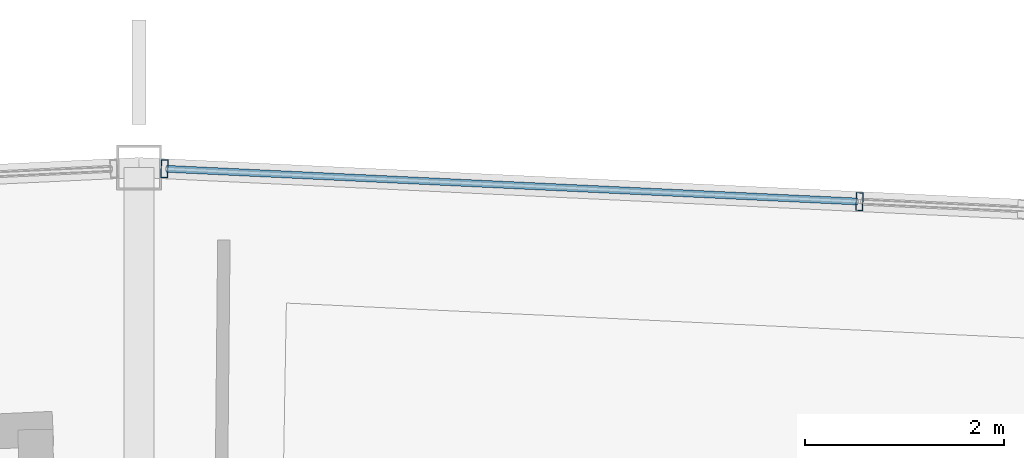
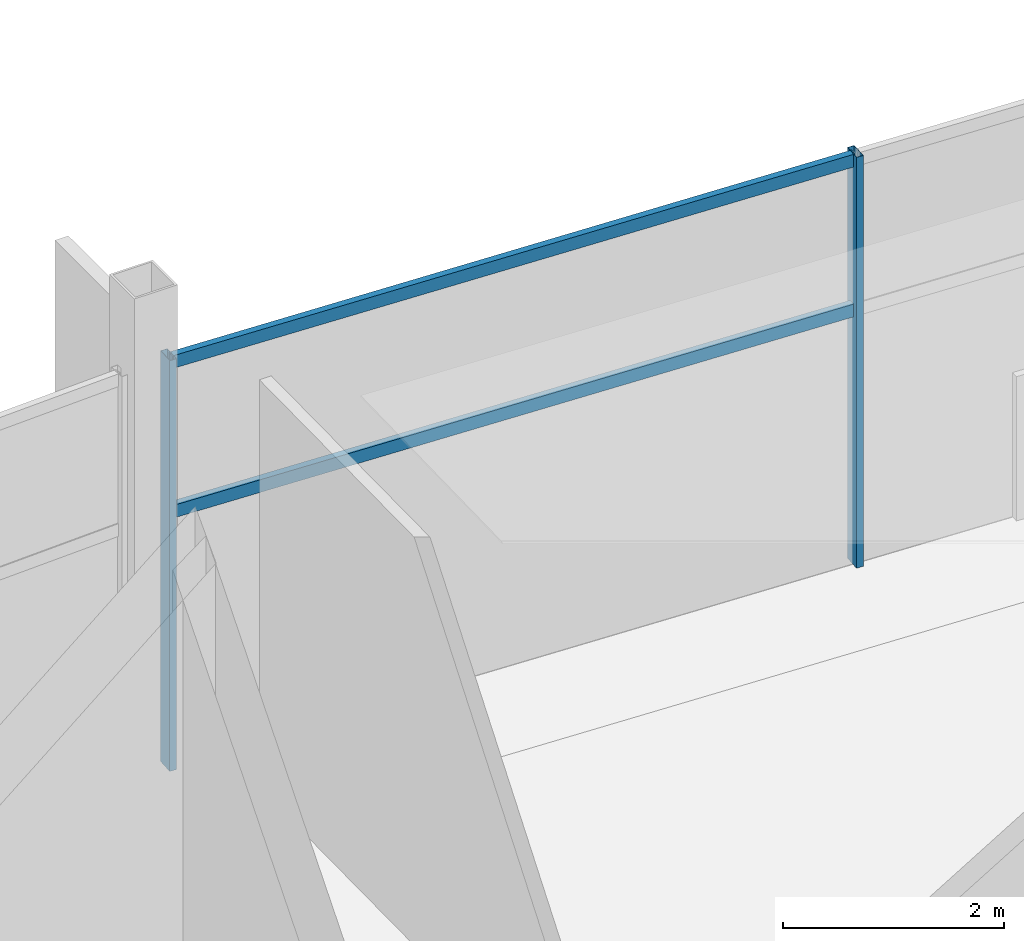
# One storey, part 102 of 186: 4 members, 1 element without a shape of its own.
"""IFC4 building model written with IfcOpenShell, lengths in metres."""

from ifc_helpers import new_model, si_unit, direction, frame, origin, origin_2d, place, context, subcontext, project, spatial, hollow_rectangle, extrude, material, layer, layer_set, material_profile, profile_set, type_object, element, aggregate, save


model = new_model("IFC4")

# Units and contexts
model_context = context("Model", 3, precision=1e-05, world=origin(), true_north=direction((0.0, 1.0)))
body_context = subcontext(model_context, "Body", "Model", "MODEL_VIEW")
ifc_project = project(units=[si_unit("LENGTHUNIT", "METRE"), si_unit("AREAUNIT", "SQUARE_METRE"), si_unit("VOLUMEUNIT", "CUBIC_METRE"), si_unit("PLANEANGLEUNIT", "RADIAN"), si_unit("MASSUNIT", "GRAM", prefix="KILO")], contexts=[model_context])

# Site, building, storey
site_placement = place(None, origin())
site = spatial("IfcSite", under=ifc_project, at=site_placement, CompositionType="ELEMENT")
building_placement = place(site_placement, origin())
building = spatial("IfcBuilding", under=site, at=building_placement, Name="Kazemori Nagisa Stadium", CompositionType="ELEMENT")
storey_placement = place(building_placement, frame((0.0, 0.0, 20.39990234375)))
storey = spatial("IfcBuildingStorey", under=building, at=storey_placement, Name="L04", CompositionType="ELEMENT", Elevation=20.39990234375)

# Curtain wall, members
ifc_material_1 = material(Name="Anodised aluminium 6063-T5", Category="aluminium")
ifc_layer = layer(ifc_material_1, 0.179931640625, Name="Anodised aluminium 6063-T5", Category="aluminium")
ifc_layer_set = layer_set([ifc_layer], Name="Anodised aluminium 6063-T5")
curtain_wall_type = type_object("IfcCurtainWallType", Name="CW_L04R3_105", PredefinedType="USERDEFINED", material=ifc_layer_set)
curtain_wall_placement = place(storey_placement, origin())
curtain_wall = element("IfcCurtainWall", 1, at=curtain_wall_placement, inside=storey, type_object=curtain_wall_type, Name="Unitised curtain wall CW-L04R3-105 L04", ObjectType="UNITISED CURTAIN WALL", PredefinedType="USERDEFINED")
ifc_material_2 = material(Name="Aluminium 6063-T5 anodised", Category="aluminium")
ifc_material_profile_1 = material_profile(ifc_material_2, hollow_rectangle(XDim=0.070068359375, YDim=0.179931640625, WallThickness=0.00390625, at=origin_2d()), Name="ALU-MULL-70x180x4")
ifc_profile_set_1 = profile_set([ifc_material_profile_1], Name="Aluminium 6063-T5 anodised")
member_type_1 = type_object("IfcMemberType", Name="Mullion_M01", PredefinedType="MULLION", material=ifc_profile_set_1)
member_1_placement = place(storey_placement, frame((130.2275390625, 187.658203125, 0.0), z_axis=(0.0, 0.0, 1.0), x_axis=(-0.998884022476, 0.047230388971, 0.0)))
member_1 = element("IfcMember", 2, at=member_1_placement, type_object=member_type_1, Name="Curtain wall mullion CW-L04R3-105-M3", PredefinedType="MULLION", context=body_context, shape_type="SweptSolid", body=[
    extrude(hollow_rectangle(XDim=0.070068359375, YDim=0.179931640625, WallThickness=0.00390625, at=origin_2d()), origin(), (0.0, 0.0, 1.0), 4.530029296875),
])
member_2_placement = place(storey_placement, frame((123.254638671875, 187.988037109375, 0.0), z_axis=(0.0, 0.0, 1.0), x_axis=(-0.998884022476, 0.047230388971, 0.0)))
member_2 = element("IfcMember", 3, at=member_2_placement, type_object=member_type_1, Name="Curtain wall mullion CW-L04R3-105-M4", PredefinedType="MULLION", context=body_context, shape_type="SweptSolid", body=[
    extrude(hollow_rectangle(XDim=0.070068359375, YDim=0.179931640625, WallThickness=0.00390625, at=origin_2d()), origin(), (0.0, 0.0, 1.0), 4.530029296875),
])
ifc_material_profile_2 = material_profile(ifc_material_2, hollow_rectangle(XDim=0.070068359375, YDim=0.139892578125, WallThickness=0.00390625, at=origin_2d()), Name="ALU-TRAN-70x140x4")
ifc_profile_set_2 = profile_set([ifc_material_profile_2], Name="Aluminium 6063-T5 anodised")
member_type_2 = type_object("IfcMemberType", Name="Transom_T01", PredefinedType="USERDEFINED", material=ifc_profile_set_2)
member_3_placement = place(storey_placement, frame((130.20751953125, 187.6591796875, 2.80859375), z_axis=(-0.998883524201, 0.047240925908, 0.0), x_axis=(-0.047240925908, -0.998883524201, 0.0)))
member_3 = element("IfcMember", 4, at=member_3_placement, type_object=member_type_2, Name="Curtain wall transom CW-L04R3-105-T3-mid", ObjectType="TRANSOM", PredefinedType="USERDEFINED", context=body_context, shape_type="SweptSolid", body=[
    extrude(hollow_rectangle(XDim=0.070068359375, YDim=0.139892578125, WallThickness=0.00390625, at=origin_2d()), origin(), (0.0, 0.0, 1.0), 6.940673828125),
])
member_4_placement = place(storey_placement, frame((130.20751953125, 187.6591796875, 4.460205078125), z_axis=(-0.998883524201, 0.047240925908, 0.0), x_axis=(-0.047240925908, -0.998883524201, 0.0)))
member_4 = element("IfcMember", 5, at=member_4_placement, type_object=member_type_2, Name="Curtain wall transom CW-L04R3-105-T3-head", ObjectType="TRANSOM", PredefinedType="USERDEFINED", context=body_context, shape_type="SweptSolid", body=[
    extrude(hollow_rectangle(XDim=0.070068359375, YDim=0.139892578125, WallThickness=0.00390625, at=origin_2d()), origin(), (0.0, 0.0, 1.0), 6.940673828125),
])
aggregate(curtain_wall, [member_1, member_2, member_3, member_4])

save(model, "model.ifc")
